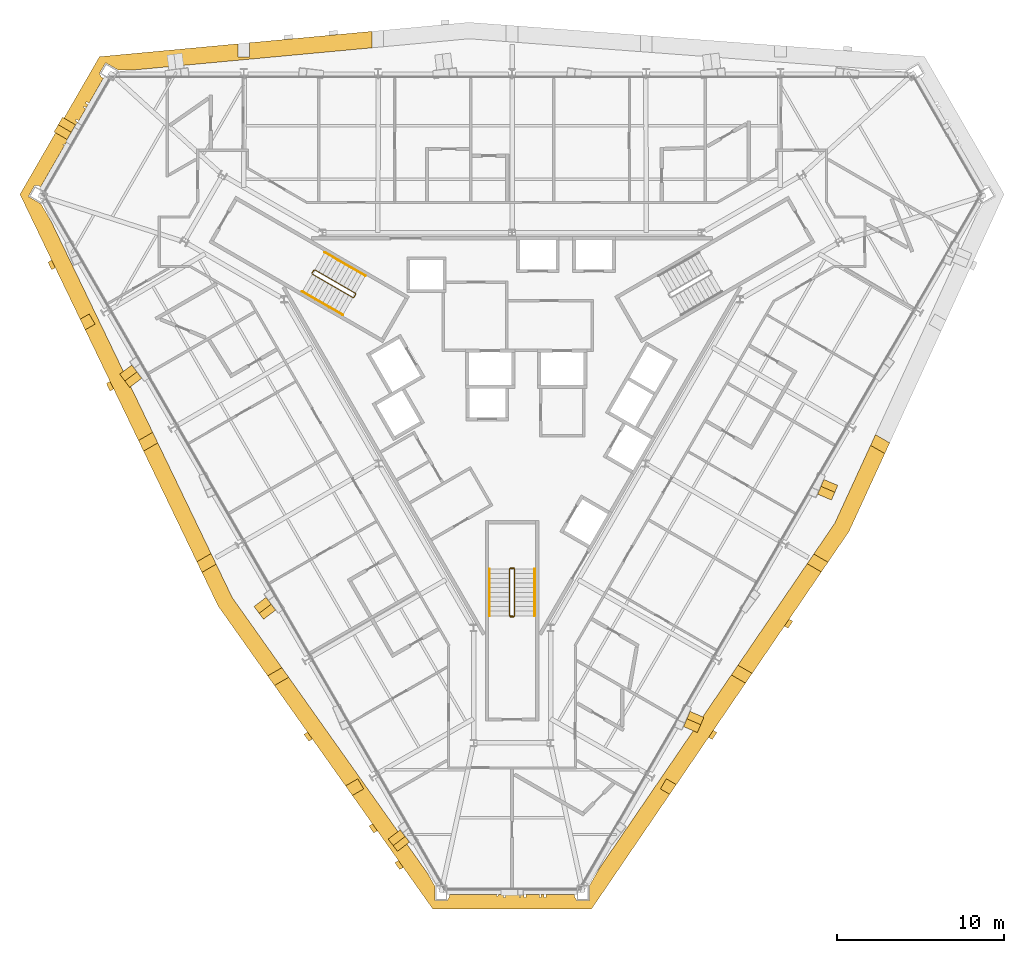
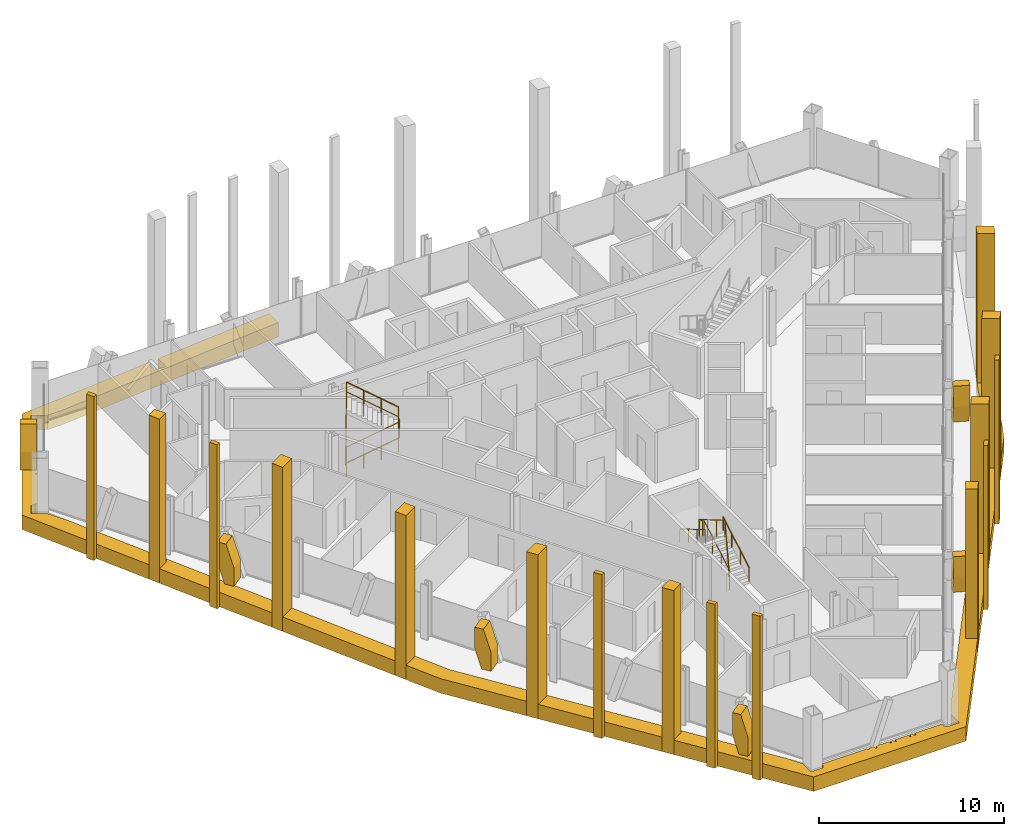
# One storey, part 15 of 16: 28 coverings, 6 railings.
"""IFC4 building model written with IfcOpenShell, lengths in metres."""

import ifcopenshell
import ifcopenshell.guid

model = None  # the IFC model being written
_history = None  # IfcOwnerHistory: only IFC2X3 demands one
_inside = {}  # id of a spatial element -> (the spatial element, [elements in it])
_under = {}  # id of a project, library or spatial element -> (it, [spatial elements below it])
_declared = {}  # id of a project -> (the project, [libraries it declares])
_typed = {}  # id of a type object -> (the type object, [elements of that type])
_made_of = {}  # id of a material, layer set ... -> (it, [elements and type objects made of it])


def new_model(schema):
    """Start an empty IFC model of exactly this schema.

    Asked for "IFC4X3", IfcOpenShell would pick the latest addendum, in which some entities
    have other attributes; the version numbers below select the first issue.
    IFC2X3 requires an IfcOwnerHistory on every rooted entity: one is made here for all.
    """
    global model, _history
    if schema == "IFC4X3":
        model = ifcopenshell.file(schema_version=(4, 3, 0, 0))
    else:
        model = ifcopenshell.file(schema=schema)
    _inside.clear()
    _under.clear()
    _declared.clear()
    _typed.clear()
    _made_of.clear()
    _history = None
    if model.schema == "IFC2X3":
        org = make("IfcOrganization", Name="unknown")
        user = make(
            "IfcPersonAndOrganization",
            ThePerson=make("IfcPerson", FamilyName="unknown"),
            TheOrganization=org,
        )
        app = make(
            "IfcApplication",
            ApplicationDeveloper=org,
            Version="unknown",
            ApplicationFullName="unknown",
            ApplicationIdentifier="unknown",
        )
        _history = make(
            "IfcOwnerHistory",
            OwningUser=user,
            OwningApplication=app,
            ChangeAction="ADDED",
            CreationDate=0,
        )
    return model


def make(cls, **values):
    """One entity of the class cls with the attributes given. An attribute that is None is left unset."""
    return model.create_entity(
        cls, **{name: value for name, value in values.items() if value is not None}
    )


def rooted(cls, **values):
    """An entity with a GlobalId (a new one), such as an element, a storey or a relation."""
    return make(cls, GlobalId=ifcopenshell.guid.new(), OwnerHistory=_history, **values)


def si_unit(unit_type, name, prefix=None):
    """IfcSIUnit, for example si_unit("LENGTHUNIT", "METRE", prefix="MILLI")."""
    return make("IfcSIUnit", UnitType=unit_type, Prefix=prefix, Name=name)


def assignment(units):
    """IfcUnitAssignment: the units of a project."""
    return None if units is None else make("IfcUnitAssignment", Units=units)


def point(xyz):
    """IfcCartesianPoint."""
    return None if xyz is None else make("IfcCartesianPoint", Coordinates=xyz)


def direction(xyz):
    """IfcDirection."""
    return None if xyz is None else make("IfcDirection", DirectionRatios=xyz)


def frame(location, z_axis=None, x_axis=None):
    """IfcAxis2Placement3D, a coordinate frame: its origin and axes. An axis left out is left unset."""
    return make(
        "IfcAxis2Placement3D",
        Location=point(location),
        Axis=direction(z_axis),
        RefDirection=direction(x_axis),
    )


def frame_2d(location, x_axis=None):
    """IfcAxis2Placement2D, a coordinate frame in the plane: its origin and x axis."""
    return make(
        "IfcAxis2Placement2D", Location=point(location), RefDirection=direction(x_axis)
    )


def origin():
    """The frame at (0, 0, 0) with its axes left unset."""
    return frame((0.0, 0.0, 0.0))


def origin_2d():
    """The frame at (0, 0) in the plane with its x axis left unset."""
    return frame_2d((0.0, 0.0))


def place(relative_to, where):
    """IfcLocalPlacement: puts the frame where relative to a parent placement (None: the world)."""
    return make(
        "IfcLocalPlacement", PlacementRelTo=relative_to, RelativePlacement=where
    )


def context(
    kind, dimensions, precision=None, world=None, true_north=None, identifier=None
):
    """IfcGeometricRepresentationContext, for example the 3D "Model" context."""
    return make(
        "IfcGeometricRepresentationContext",
        ContextIdentifier=identifier,
        ContextType=kind,
        CoordinateSpaceDimension=dimensions,
        Precision=precision,
        WorldCoordinateSystem=world,
        TrueNorth=true_north,
    )


def subcontext(parent, identifier, kind, view, scale=None):
    """IfcGeometricRepresentationSubContext, for example "Body" below "Model"."""
    return make(
        "IfcGeometricRepresentationSubContext",
        ContextIdentifier=identifier,
        ContextType=kind,
        ParentContext=parent,
        TargetScale=scale,
        TargetView=view,
    )


def project(units=None, contexts=None):
    """IfcProject with its units and contexts."""
    return rooted(
        "IfcProject",
        Name="project",
        RepresentationContexts=contexts,
        UnitsInContext=assignment(units),
    )


def spatial(cls, under=None, at=None, **own):
    """A site, building, storey or space (cls), placed at a placement, below another one or the project."""
    s = rooted(cls, ObjectPlacement=at, **own)
    if under is not None:
        _under.setdefault(under.id(), (under, []))[1].append(s)
    return s


def polyline(points):
    """IfcPolyline through the points."""
    return make("IfcPolyline", Points=[point(p) for p in points])


def profile(cls, at=None, kind="AREA", **sizes):
    """A parametric profile (cls). Its sizes go by their IFC names, for example OverallWidth=200.0."""
    return make(cls, ProfileType=kind, Position=at, **sizes)


def circle(**sizes):
    """IfcCircleProfileDef."""
    return profile("IfcCircleProfileDef", **sizes)


def outline(outer, holes=None, kind="AREA"):
    """IfcArbitraryClosedProfileDef: a profile drawn as a closed curve; with holes, ...WithVoids."""
    if holes is None:
        return make("IfcArbitraryClosedProfileDef", ProfileType=kind, OuterCurve=outer)
    return make(
        "IfcArbitraryProfileDefWithVoids",
        ProfileType=kind,
        OuterCurve=outer,
        InnerCurves=holes,
    )


def extrude(swept, where, along, depth):
    """IfcExtrudedAreaSolid: the profile swept, set in the frame where, extruded along a direction by depth."""
    return make(
        "IfcExtrudedAreaSolid",
        SweptArea=swept,
        Position=where,
        ExtrudedDirection=direction(along),
        Depth=depth,
    )


def shape(context_of_items, identifier, shape_type, items):
    """IfcShapeRepresentation: the items that make up one representation, for example the "Body"."""
    return make(
        "IfcShapeRepresentation",
        ContextOfItems=context_of_items,
        RepresentationIdentifier=identifier,
        RepresentationType=shape_type,
        Items=items,
    )


def material(Name=None, Category=None):
    """IfcMaterial."""
    return make("IfcMaterial", Name=Name, Category=Category)


def layer(
    of_material, thickness, ventilated=None, Name=None, Category=None, Priority=None
):
    """IfcMaterialLayer: one layer of a wall or slab, of a material (None: an air gap)."""
    return make(
        "IfcMaterialLayer",
        Material=of_material,
        LayerThickness=thickness,
        IsVentilated=ventilated,
        Name=Name,
        Category=Category,
        Priority=Priority,
    )


def layer_set(layers, Name=None):
    """IfcMaterialLayerSet."""
    return make("IfcMaterialLayerSet", MaterialLayers=layers, LayerSetName=Name)


def made_of(thing, what):
    """Note that an element or type object is made of a material, layer set ...; save() writes the relation."""
    if what is not None:
        _made_of.setdefault(what.id(), (what, []))[1].append(thing)
    return thing


def type_object(cls, material=None, **own):
    """A type object (cls), such as IfcWallType, which elements share."""
    return made_of(rooted(cls, **own), material)


def element(
    cls,
    number,
    at=None,
    inside=None,
    cuts=None,
    type_object=None,
    material=None,
    context=None,
    identifier="Body",
    shape_type=None,
    held_by="IfcProductDefinitionShape",
    body=None,
    shapes=None,
    **own,
):
    """One element of the class cls, such as IfcWall. Its Tag is "e" and its number.

    at: its placement. inside: the storey or other place that contains it. cuts: it is an
    opening in that element (IfcRelVoidsElement). A single representation is given by context,
    identifier, shape_type and body (its items); several are given by shapes. held_by: the class
    of the entity that holds the representations. save() writes the other relations.
    """
    e = rooted(cls, Tag="e%d" % number, ObjectPlacement=at, **own)
    if body is not None:
        shapes = [shape(context, identifier, shape_type, body)]
    if shapes is not None:
        e.Representation = make(held_by, Representations=shapes)
    if inside is not None:
        _inside.setdefault(inside.id(), (inside, []))[1].append(e)
    if cuts is not None:
        rooted(
            "IfcRelVoidsElement", RelatingBuildingElement=cuts, RelatedOpeningElement=e
        )
    if type_object is not None:
        _typed.setdefault(type_object.id(), (type_object, []))[1].append(e)
    return made_of(e, material)


def aggregate(whole, parts):
    """IfcRelAggregates: a whole, such as a stair, and the parts it consists of."""
    return rooted("IfcRelAggregates", RelatingObject=whole, RelatedObjects=parts)


def save(model, path):
    """Write the relations noted so far, then the file.

    IfcRelAggregates (storeys below a building ...), IfcRelContainedInSpatialStructure (elements
    in a storey), IfcRelDefinesByType, IfcRelAssociatesMaterial and IfcRelDeclares: one each for
    every whole, place, type object, material and project.
    """
    for whole, parts in _under.values():
        aggregate(whole, parts)
    for where, things in _inside.values():
        rooted(
            "IfcRelContainedInSpatialStructure",
            RelatedElements=things,
            RelatingStructure=where,
        )
    for kind, things in _typed.values():
        rooted("IfcRelDefinesByType", RelatedObjects=things, RelatingType=kind)
    for what, things in _made_of.values():
        rooted("IfcRelAssociatesMaterial", RelatedObjects=things, RelatingMaterial=what)
    for by, libraries in _declared.values():
        rooted("IfcRelDeclares", RelatingContext=by, RelatedDefinitions=libraries)
    model.write(path)


model = new_model("IFC4")

# Units and contexts
model_context = context("Model", 3, precision=1e-05, world=origin(), true_north=direction((0.0, 1.0)))
body_context = subcontext(model_context, "Body", "Model", "MODEL_VIEW")
ifc_project = project(units=[si_unit("LENGTHUNIT", "METRE"), si_unit("AREAUNIT", "SQUARE_METRE"), si_unit("VOLUMEUNIT", "CUBIC_METRE"), si_unit("PLANEANGLEUNIT", "RADIAN"), si_unit("MASSUNIT", "GRAM", prefix="KILO")], contexts=[model_context])

# Site, building, storey
site_placement = place(None, origin())
site = spatial("IfcSite", under=ifc_project, at=site_placement, CompositionType="ELEMENT")
building_placement = place(site_placement, origin())
building = spatial("IfcBuilding", under=site, at=building_placement, Name="Verrane Prism Tower", CompositionType="ELEMENT")
storey_placement = place(building_placement, frame((0.0, 0.0, 103.60009765625)))
storey = spatial("IfcBuildingStorey", under=building, at=storey_placement, Name="L24", CompositionType="ELEMENT", Elevation=103.60009765625)

# Railings
ifc_material_1 = material(Name="Steel A36 rail and posts, no infill", Category="steel")
railing_type_1 = type_object("IfcRailingType", Name="Stair guard 1100 steel rail and posts", PredefinedType="GUARDRAIL", material=ifc_material_1)
railing_1_placement = place(storey_placement, frame((-11.939453125, 6.72021484375, 0.16357421875)))
element("IfcRailing", 1, at=railing_1_placement, inside=storey, type_object=railing_type_1, Name="Stair 2 guard", PredefinedType="GUARDRAIL", context=body_context, shape_type="SweptSolid", body=[
    extrude(circle(Radius=0.02392578125, at=origin_2d()), frame((0.0, 0.0, 1.076171875), z_axis=(0.747693913401, -0.431738279637, 0.504535300807), x_axis=(0.500049511043, 0.865996816683, 0.0)), (0.0, 0.0, 1.0), 3.2431640625),
    extrude(circle(Radius=0.02392578125, at=origin_2d()), frame((2.4248046875, -1.400146484375, 2.71240234375), z_axis=(0.965948051503, 0.258736085224, 0.0), x_axis=(-0.258736085224, 0.965948051503, 0.0)), (0.0, 0.0, 1.0), 0.07080078125),
    extrude(circle(Radius=0.02392578125, at=origin_2d()), frame((2.4931640625, -1.3818359375, 2.71240234375), z_axis=(0.499158860599, 0.866510491504, 0.0), x_axis=(-0.866510491504, 0.499158860599, 0.0)), (0.0, 0.0, 1.0), 0.199951171875),
    extrude(circle(Radius=0.02392578125, at=origin_2d()), frame((2.593017578125, -1.20849609375, 2.71240234375), z_axis=(-0.10266202204, 0.381902721988, 0.918482890515), x_axis=(-0.965715946433, -0.259601060869, 0.0)), (0.0, 0.0, 1.0), 0.178466796875),
    extrude(circle(Radius=0.02392578125, at=origin_2d()), frame((2.57470703125, -1.140380859375, 2.8759765625), z_axis=(-0.747693913401, 0.431738279637, 0.504535300807), x_axis=(-0.500049511043, -0.865996816683, 0.0)), (0.0, 0.0, 1.0), 3.2431640625),
    extrude(circle(Radius=0.02392578125, at=origin_2d()), frame((0.14990234375, 0.259765625, 4.51220703125), z_axis=(-0.046610908435, -0.053105316576, -0.997500500534), x_axis=(0.751567565678, -0.659656118156, 0.0)), (0.0, 0.0, 1.0), 3.60888671875),
    extrude(circle(Radius=0.02392578125, at=origin_2d()), frame((-0.018310546875, 0.068115234375, 0.91259765625), z_axis=(0.499158860599, 0.866510491504, 0.0), x_axis=(-0.866510491504, 0.499158860599, 0.0)), (0.0, 0.0, 1.0), 0.199951171875),
    extrude(circle(Radius=0.02099609375, at=origin_2d()), origin(), (0.0, 0.0, 1.0), 1.052001953125),
    extrude(circle(Radius=0.02099609375, at=origin_2d()), frame((0.808349609375, -0.466796875, 0.54541015625)), (0.0, 0.0, 1.0), 1.052001953125),
    extrude(circle(Radius=0.02099609375, at=origin_2d()), frame((1.616455078125, -0.933349609375, 1.0908203125)), (0.0, 0.0, 1.0), 1.052001953125),
    extrude(circle(Radius=0.02099609375, at=origin_2d()), frame((2.4248046875, -1.400146484375, 1.63623046875)), (0.0, 0.0, 1.0), 1.052001953125),
    extrude(circle(Radius=0.02099609375, at=origin_2d()), frame((2.4931640625, -1.3818359375, 1.63623046875)), (0.0, 0.0, 1.0), 1.052001953125),
    extrude(circle(Radius=0.02099609375, at=origin_2d()), frame((2.593017578125, -1.20849609375, 1.63623046875)), (0.0, 0.0, 1.0), 1.052001953125),
    extrude(circle(Radius=0.02099609375, at=origin_2d()), frame((2.57470703125, -1.140380859375, 1.800048828125)), (0.0, 0.0, 1.0), 1.052001953125),
    extrude(circle(Radius=0.02099609375, at=origin_2d()), frame((1.766357421875, -0.673583984375, 2.345458984375)), (0.0, 0.0, 1.0), 1.052001953125),
    extrude(circle(Radius=0.02099609375, at=origin_2d()), frame((0.958251953125, -0.20703125, 2.890869140625)), (0.0, 0.0, 1.0), 1.052001953125),
    extrude(circle(Radius=0.02099609375, at=origin_2d()), frame((0.14990234375, 0.259765625, 3.436279296875)), (0.0, 0.0, 1.0), 1.052001953125),
    extrude(circle(Radius=0.02099609375, at=origin_2d()), frame((0.10791015625, 0.2119140625, 2.536376953125)), (0.0, 0.0, 1.0), 1.052001953125),
    extrude(circle(Radius=0.02099609375, at=origin_2d()), frame((0.06591796875, 0.1640625, 1.63623046875)), (0.0, 0.0, 1.0), 1.052001953125),
    extrude(circle(Radius=0.02099609375, at=origin_2d()), frame((0.023681640625, 0.115966796875, 0.736328125)), (0.0, 0.0, 1.0), 1.052001953125),
    extrude(circle(Radius=0.02099609375, at=origin_2d()), frame((-0.018310546875, 0.068115234375, -0.16357421875)), (0.0, 0.0, 1.0), 1.052001953125),
    extrude(circle(Radius=0.02099609375, at=origin_2d()), frame((0.08154296875, 0.241455078125, -0.16357421875)), (0.0, 0.0, 1.0), 1.052001953125),
])
railing_2_placement = place(storey_placement, frame((0.14990234375, -13.699951171875, 0.16357421875)))
element("IfcRailing", 2, at=railing_2_placement, inside=storey, type_object=railing_type_1, Name="Stair 3 guard", PredefinedType="GUARDRAIL", context=body_context, shape_type="SweptSolid", body=[
    extrude(circle(Radius=0.02392578125, at=origin_2d()), frame((0.0, 0.0, 1.076171875), z_axis=(0.0, 0.863393664356, 0.504530851732), x_axis=(-1.0, 0.0, 0.0)), (0.0, 0.0, 1.0), 3.2431640625),
    extrude(circle(Radius=0.02392578125, at=origin_2d()), frame((0.0, 2.800048828125, 2.71240234375), z_axis=(-0.707106781187, 0.707106781187, 0.0), x_axis=(-0.707106781187, -0.707106781187, 0.0)), (0.0, 0.0, 1.0), 0.0703125),
    extrude(circle(Radius=0.02392578125, at=origin_2d()), frame((-0.0498046875, 2.849853515625, 2.71240234375), z_axis=(-1.0, 0.0, 0.0), x_axis=(0.0, -1.0, 0.0)), (0.0, 0.0, 1.0), 0.2001953125),
    extrude(circle(Radius=0.02392578125, at=origin_2d()), frame((-0.25, 2.849853515625, 2.71240234375), z_axis=(-0.279301935624, -0.279301935624, 0.918684307863), x_axis=(0.707106781187, -0.707106781187, 0.0)), (0.0, 0.0, 1.0), 0.17822265625),
    extrude(circle(Radius=0.02392578125, at=origin_2d()), frame((-0.2998046875, 2.800048828125, 2.8759765625), z_axis=(0.0, -0.863393664356, 0.504530851732), x_axis=(1.0, 0.0, 0.0)), (0.0, 0.0, 1.0), 3.2431640625),
    extrude(circle(Radius=0.02392578125, at=origin_2d()), frame((-0.2998046875, 0.0, 4.51220703125), z_axis=(0.069273741535, -0.013868278335, -0.997501288014), x_axis=(0.196300278283, 0.98054382908, 0.0)), (0.0, 0.0, 1.0), 3.60888671875),
    extrude(circle(Radius=0.02392578125, at=origin_2d()), frame((-0.0498046875, -0.050048828125, 0.91259765625), z_axis=(-1.0, 0.0, 0.0), x_axis=(0.0, -1.0, 0.0)), (0.0, 0.0, 1.0), 0.2001953125),
    extrude(circle(Radius=0.02099609375, at=origin_2d()), origin(), (0.0, 0.0, 1.0), 1.052001953125),
    extrude(circle(Radius=0.02099609375, at=origin_2d()), frame((0.0, 0.933349609375, 0.54541015625)), (0.0, 0.0, 1.0), 1.052001953125),
    extrude(circle(Radius=0.02099609375, at=origin_2d()), frame((0.0, 1.86669921875, 1.0908203125)), (0.0, 0.0, 1.0), 1.052001953125),
    extrude(circle(Radius=0.02099609375, at=origin_2d()), frame((0.0, 2.800048828125, 1.63623046875)), (0.0, 0.0, 1.0), 1.052001953125),
    extrude(circle(Radius=0.02099609375, at=origin_2d()), frame((-0.0498046875, 2.849853515625, 1.63623046875)), (0.0, 0.0, 1.0), 1.052001953125),
    extrude(circle(Radius=0.02099609375, at=origin_2d()), frame((-0.25, 2.849853515625, 1.63623046875)), (0.0, 0.0, 1.0), 1.052001953125),
    extrude(circle(Radius=0.02099609375, at=origin_2d()), frame((-0.2998046875, 2.800048828125, 1.800048828125)), (0.0, 0.0, 1.0), 1.052001953125),
    extrude(circle(Radius=0.02099609375, at=origin_2d()), frame((-0.2998046875, 1.86669921875, 2.345458984375)), (0.0, 0.0, 1.0), 1.052001953125),
    extrude(circle(Radius=0.02099609375, at=origin_2d()), frame((-0.2998046875, 0.933349609375, 2.890869140625)), (0.0, 0.0, 1.0), 1.052001953125),
    extrude(circle(Radius=0.02099609375, at=origin_2d()), frame((-0.2998046875, 0.0, 3.436279296875)), (0.0, 0.0, 1.0), 1.052001953125),
    extrude(circle(Radius=0.02099609375, at=origin_2d()), frame((-0.2373046875, -0.012451171875, 2.536376953125)), (0.0, 0.0, 1.0), 1.052001953125),
    extrude(circle(Radius=0.02099609375, at=origin_2d()), frame((-0.1748046875, -0.02490234375, 1.63623046875)), (0.0, 0.0, 1.0), 1.052001953125),
    extrude(circle(Radius=0.02099609375, at=origin_2d()), frame((-0.1123046875, -0.03759765625, 0.736328125)), (0.0, 0.0, 1.0), 1.052001953125),
    extrude(circle(Radius=0.02099609375, at=origin_2d()), frame((-0.0498046875, -0.050048828125, -0.16357421875)), (0.0, 0.0, 1.0), 1.052001953125),
    extrude(circle(Radius=0.02099609375, at=origin_2d()), frame((-0.25, -0.050048828125, -0.16357421875)), (0.0, 0.0, 1.0), 1.052001953125),
])
ifc_material_2 = material(Name="Steel A36 tube", Category="steel")
railing_type_2 = type_object("IfcRailingType", Name="Stair handrail 900 steel tube", PredefinedType="HANDRAIL", material=ifc_material_2)
railing_3_placement = place(storey_placement, frame((-12.53955078125, 5.680908203125, 0.16357421875)))
element("IfcRailing", 3, at=railing_3_placement, inside=storey, type_object=railing_type_2, Name="Stair 2 handrail", PredefinedType="HANDRAIL", context=body_context, shape_type="SweptSolid", body=[
    extrude(circle(Radius=0.02392578125, at=origin_2d()), frame((0.0, 0.0, 0.8759765625), z_axis=(0.747693913401, -0.431738279637, 0.504535300807), x_axis=(0.500049511043, 0.865996816683, 0.0)), (0.0, 0.0, 1.0), 3.2431640625),
    extrude(circle(Radius=0.02099609375, at=origin_2d()), origin(), (0.0, 0.0, 1.0), 0.851806640625),
    extrude(circle(Radius=0.02099609375, at=origin_2d()), frame((0.808349609375, -0.466796875, 0.54541015625)), (0.0, 0.0, 1.0), 0.851806640625),
    extrude(circle(Radius=0.02099609375, at=origin_2d()), frame((1.616455078125, -0.933349609375, 1.0908203125)), (0.0, 0.0, 1.0), 0.851806640625),
    extrude(circle(Radius=0.02099609375, at=origin_2d()), frame((2.4248046875, -1.400146484375, 1.63623046875)), (0.0, 0.0, 1.0), 0.851806640625),
])
railing_4_placement = place(storey_placement, frame((-8.7646484375, 6.619140625, 1.963623046875)))
element("IfcRailing", 4, at=railing_4_placement, inside=storey, type_object=railing_type_2, Name="Stair 2 handrail", PredefinedType="HANDRAIL", context=body_context, shape_type="SweptSolid", body=[
    extrude(circle(Radius=0.02392578125, at=origin_2d()), frame((0.0, 0.0, 0.8759765625), z_axis=(-0.74771821388, 0.431677027627, 0.504551698492), x_axis=(-0.49998411664, -0.866034573852, 0.0)), (0.0, 0.0, 1.0), 3.242919921875),
    extrude(circle(Radius=0.02099609375, at=origin_2d()), origin(), (0.0, 0.0, 1.0), 0.851806640625),
    extrude(circle(Radius=0.02099609375, at=origin_2d()), frame((-0.808349609375, 0.466552734375, 0.54541015625)), (0.0, 0.0, 1.0), 0.851806640625),
    extrude(circle(Radius=0.02099609375, at=origin_2d()), frame((-1.616455078125, 0.933349609375, 1.0908203125)), (0.0, 0.0, 1.0), 0.851806640625),
    extrude(circle(Radius=0.02099609375, at=origin_2d()), frame((-2.4248046875, 1.39990234375, 1.63623046875)), (0.0, 0.0, 1.0), 0.851806640625),
])
railing_5_placement = place(storey_placement, frame((1.35009765625, -13.699951171875, 0.16357421875)))
element("IfcRailing", 5, at=railing_5_placement, inside=storey, type_object=railing_type_2, Name="Stair 3 handrail", PredefinedType="HANDRAIL", context=body_context, shape_type="SweptSolid", body=[
    extrude(circle(Radius=0.02392578125, at=origin_2d()), frame((0.0, 0.0, 0.8759765625), z_axis=(0.0, 0.863393664356, 0.504530851732), x_axis=(-1.0, 0.0, 0.0)), (0.0, 0.0, 1.0), 3.2431640625),
    extrude(circle(Radius=0.02099609375, at=origin_2d()), origin(), (0.0, 0.0, 1.0), 0.851806640625),
    extrude(circle(Radius=0.02099609375, at=origin_2d()), frame((0.0, 0.933349609375, 0.54541015625)), (0.0, 0.0, 1.0), 0.851806640625),
    extrude(circle(Radius=0.02099609375, at=origin_2d()), frame((0.0, 1.86669921875, 1.0908203125)), (0.0, 0.0, 1.0), 0.851806640625),
    extrude(circle(Radius=0.02099609375, at=origin_2d()), frame((0.0, 2.800048828125, 1.63623046875)), (0.0, 0.0, 1.0), 0.851806640625),
])
railing_6_placement = place(storey_placement, frame((-1.35009765625, -10.89990234375, 1.963623046875)))
element("IfcRailing", 6, at=railing_6_placement, inside=storey, type_object=railing_type_2, Name="Stair 3 handrail", PredefinedType="HANDRAIL", context=body_context, shape_type="SweptSolid", body=[
    extrude(circle(Radius=0.02392578125, at=origin_2d()), frame((0.0, 0.0, 0.8759765625), z_axis=(0.0, -0.863393664356, 0.504530851732), x_axis=(1.0, 0.0, 0.0)), (0.0, 0.0, 1.0), 3.2431640625),
    extrude(circle(Radius=0.02099609375, at=origin_2d()), origin(), (0.0, 0.0, 1.0), 0.851806640625),
    extrude(circle(Radius=0.02099609375, at=origin_2d()), frame((0.0, -0.933349609375, 0.54541015625)), (0.0, 0.0, 1.0), 0.851806640625),
    extrude(circle(Radius=0.02099609375, at=origin_2d()), frame((0.0, -1.86669921875, 1.0908203125)), (0.0, 0.0, 1.0), 0.851806640625),
    extrude(circle(Radius=0.02099609375, at=origin_2d()), frame((0.0, -2.800048828125, 1.63623046875)), (0.0, 0.0, 1.0), 0.851806640625),
])

# Coverings
ifc_material_3 = material(Name="Warm limestone cladding", Category="masonry")
ifc_layer_1 = layer(ifc_material_3, 0.89990234375)
ifc_layer_set_1 = layer_set([ifc_layer_1], Name="Stone brace fin 900")
covering_type_1 = type_object("IfcCoveringType", Name="Stone brace fin 900", PredefinedType="CLADDING", material=ifc_layer_set_1)
covering_1_placement = place(storey_placement, frame((-22.49462890625, 0.22119140625, 0.0), z_axis=(0.0, 0.0, 1.0), x_axis=(-0.60114067124, 0.799143224573, 0.0)))
element("IfcCovering", 7, at=covering_1_placement, inside=storey, type_object=covering_type_1, Name="Stone brace fin SW2 L24", PredefinedType="CLADDING", context=body_context, shape_type="SweptSolid", body=[
    extrude(outline(polyline([(0.992431640625, 2.64990234375), (0.48046875, 2.64990234375), (0.0, 1.193603515625), (0.0, 0.0), (0.553955078125, 0.0), (0.992431640625, 1.3291015625), (0.992431640625, 2.64990234375)])), frame((0.0, 0.449951171875, 0.0), z_axis=(0.0, -1.0, 0.0), x_axis=(1.0, 0.0, 0.0)), (0.0, 0.0, 1.0), 0.89990234375),
])
covering_2_placement = place(storey_placement, frame((-14.490966796875, -13.63525390625, 0.0), z_axis=(0.0, 0.0, 1.0), x_axis=(-0.602901839602, 0.79781537451, 0.0)))
element("IfcCovering", 8, at=covering_2_placement, inside=storey, type_object=covering_type_1, Name="Stone brace fin SW4 L24", PredefinedType="CLADDING", context=body_context, shape_type="SweptSolid", body=[
    extrude(outline(polyline([(0.95458984375, 2.64990234375), (0.44580078125, 2.64990234375), (0.0, 1.2451171875), (0.0, 0.0), (0.549072265625, 0.0), (0.95458984375, 1.277587890625), (0.95458984375, 2.64990234375)])), frame((0.0, 0.449951171875, 0.0), z_axis=(0.0, -1.0, 0.0), x_axis=(1.0, 0.0, 0.0)), (0.0, 0.0, 1.0), 0.89990234375),
])
covering_3_placement = place(storey_placement, frame((-6.488525390625, -27.501953125, 0.0), z_axis=(0.0, 0.0, 1.0), x_axis=(-0.60776626107, 0.794115968801, 0.0)))
element("IfcCovering", 9, at=covering_3_placement, inside=storey, type_object=covering_type_1, Name="Stone brace fin SW6 L24", PredefinedType="CLADDING", context=body_context, shape_type="SweptSolid", body=[
    extrude(outline(polyline([(0.916748046875, 2.64990234375), (0.42431640625, 2.64990234375), (0.0, 1.25732421875), (0.0, 0.0), (0.531005859375, 0.0), (0.916748046875, 1.265380859375), (0.916748046875, 2.64990234375)])), frame((0.0, 0.449951171875, 0.0), z_axis=(0.0, -1.0, 0.0), x_axis=(1.0, 0.0, 0.0)), (0.0, 0.0, 1.0), 0.89990234375),
])
covering_4_placement = place(storey_placement, frame((11.053955078125, -19.59228515625, 0.0), z_axis=(0.0, 0.0, 1.0), x_axis=(-0.392938510983, -0.919564748447, 0.0)))
element("IfcCovering", 10, at=covering_4_placement, inside=storey, type_object=covering_type_1, Name="Stone brace fin SE2 L24", PredefinedType="CLADDING", context=body_context, shape_type="SweptSolid", body=[
    extrude(outline(polyline([(0.991455078125, 2.64990234375), (0.4794921875, 2.64990234375), (0.0, 1.19482421875), (0.0, 0.0), (0.5537109375, 0.0), (0.991455078125, 1.327880859375), (0.991455078125, 2.64990234375)])), frame((0.0, 0.449951171875, 0.0), z_axis=(0.0, -1.0, 0.0), x_axis=(1.0, 0.0, 0.0)), (0.0, 0.0, 1.0), 0.89990234375),
])
covering_5_placement = place(storey_placement, frame((19.054931640625, -5.730224609375, 0.0), z_axis=(0.0, 0.0, 1.0), x_axis=(-0.389280942249, -0.921119073737, 0.0)))
element("IfcCovering", 11, at=covering_5_placement, inside=storey, type_object=covering_type_1, Name="Stone brace fin SE4 L24", PredefinedType="CLADDING", context=body_context, shape_type="SweptSolid", body=[
    extrude(outline(polyline([(0.9541015625, 2.64990234375), (0.4453125, 2.64990234375), (0.0, 1.245849609375), (0.0, 0.0), (0.549072265625, 0.0), (0.9541015625, 1.27685546875), (0.9541015625, 2.64990234375)])), frame((0.0, 0.449951171875, 0.0), z_axis=(0.0, -1.0, 0.0), x_axis=(1.0, 0.0, 0.0)), (0.0, 0.0, 1.0), 0.89990234375),
])
covering_6_placement = place(storey_placement, frame((-26.986328125, 14.99658203125, 0.0), z_axis=(0.0, 0.0, 1.0), x_axis=(0.500064165663, 0.865988354552, 0.0)))
element("IfcCovering", 12, at=covering_6_placement, inside=storey, type_object=covering_type_1, Name="Stone brace fin NW1 L24", PredefinedType="CLADDING", context=body_context, shape_type="SweptSolid", body=[
    extrude(outline(polyline([(1.01025390625, 2.64990234375), (0.4990234375, 2.64990234375), (0.0, 1.166259765625), (0.0, 0.0), (0.55712890625, 0.0), (1.01025390625, 1.346435546875), (1.01025390625, 2.64990234375)])), frame((0.0, 0.449951171875, 0.0), z_axis=(0.0, -1.0, 0.0), x_axis=(1.0, 0.0, 0.0)), (0.0, 0.0, 1.0), 0.89990234375),
])
ifc_material_4 = material(Name="Warm limestone cladding", Category="masonry")
covering_type_2 = type_object("IfcCoveringType", Name="Stone mullion pier 500", PredefinedType="CLADDING", material=ifc_material_4)
covering_7_placement = place(storey_placement, frame((0.0, 0.0, -0.9501953125)))
element("IfcCovering", 13, at=covering_7_placement, inside=storey, type_object=covering_type_2, Name="Stone pier SM-SW0.1 L24-L26", PredefinedType="CLADDING", context=body_context, shape_type="SweptSolid", body=[
    extrude(outline(polyline([(-27.30224609375, 7.107177734375), (-27.51953125, 7.558837890625), (-27.73681640625, 7.43359375), (-27.519287109375, 6.981689453125), (-27.30224609375, 7.107177734375)])), origin(), (0.0, 0.0, 1.0), 10.800048828125),
])
covering_8_placement = place(storey_placement, frame((0.0, 0.0, -0.9501953125)))
element("IfcCovering", 14, at=covering_8_placement, inside=storey, type_object=covering_type_2, Name="Stone pier SM-SW1.1 L24-L26", PredefinedType="CLADDING", context=body_context, shape_type="SweptSolid", body=[
    extrude(outline(polyline([(-23.812744140625, -0.1416015625), (-24.030029296875, 0.31005859375), (-24.247314453125, 0.184814453125), (-24.02978515625, -0.26708984375), (-23.812744140625, -0.1416015625)])), origin(), (0.0, 0.0, 1.0), 10.800048828125),
])
covering_9_placement = place(storey_placement, frame((0.0, 0.0, -0.9501953125)))
element("IfcCovering", 15, at=covering_9_placement, inside=storey, type_object=covering_type_2, Name="Stone pier SM-SW4.1 L24-L26", PredefinedType="CLADDING", context=body_context, shape_type="SweptSolid", body=[
    extrude(outline(polyline([(-11.930908203125, -21.072021484375), (-12.22119140625, -20.662353515625), (-12.4384765625, -20.787841796875), (-12.148193359375, -21.19775390625), (-11.930908203125, -21.072021484375)])), origin(), (0.0, 0.0, 1.0), 10.800048828125),
])
covering_10_placement = place(storey_placement, frame((0.0, 0.0, -0.9501953125)))
element("IfcCovering", 16, at=covering_10_placement, inside=storey, type_object=covering_type_2, Name="Stone pier SM-SW5.1 L24-L26", PredefinedType="CLADDING", context=body_context, shape_type="SweptSolid", body=[
    extrude(outline(polyline([(-8.049560546875, -26.55078125), (-8.33984375, -26.14111328125), (-8.557373046875, -26.2666015625), (-8.26708984375, -26.676513671875), (-8.049560546875, -26.55078125)])), origin(), (0.0, 0.0, 1.0), 10.800048828125),
])
covering_11_placement = place(storey_placement, frame((0.0, 0.0, -0.9501953125)))
element("IfcCovering", 17, at=covering_11_placement, inside=storey, type_object=covering_type_2, Name="Stone pier SM-SW5.2 L24-L26", PredefinedType="CLADDING", context=body_context, shape_type="SweptSolid", body=[
    extrude(outline(polyline([(-6.4970703125, -28.7421875), (-6.787353515625, -28.33251953125), (-7.0048828125, -28.4580078125), (-6.714599609375, -28.867919921875), (-6.4970703125, -28.7421875)])), origin(), (0.0, 0.0, 1.0), 10.800048828125),
])
covering_12_placement = place(storey_placement, frame((0.0, 0.0, -0.9501953125)))
element("IfcCovering", 18, at=covering_12_placement, inside=storey, type_object=covering_type_2, Name="Stone pier SM-SE1.1 L24-L26", PredefinedType="CLADDING", context=body_context, shape_type="SweptSolid", body=[
    extrude(outline(polyline([(12.029052734375, -20.551513671875), (11.74658203125, -20.9658203125), (11.963623046875, -21.091064453125), (12.24609375, -20.677001953125), (12.029052734375, -20.551513671875)])), origin(), (0.0, 0.0, 1.0), 10.800048828125),
])
covering_13_placement = place(storey_placement, frame((0.0, 0.0, -0.9501953125)))
element("IfcCovering", 19, at=covering_13_placement, inside=storey, type_object=covering_type_2, Name="Stone pier SM-SE2.1 L24-L26", PredefinedType="CLADDING", context=body_context, shape_type="SweptSolid", body=[
    extrude(outline(polyline([(16.56201171875, -13.905029296875), (16.279541015625, -14.3193359375), (16.49658203125, -14.444580078125), (16.779052734375, -14.030517578125), (16.56201171875, -13.905029296875)])), origin(), (0.0, 0.0, 1.0), 10.800048828125),
])
ifc_material_5 = material(Name="Warm limestone cladding", Category="masonry")
covering_type_3 = type_object("IfcCoveringType", Name="Stone pier 700", PredefinedType="CLADDING", material=ifc_material_5)
covering_14_placement = place(storey_placement, frame((0.0, 0.0, -0.9501953125)))
element("IfcCovering", 20, at=covering_14_placement, inside=storey, type_object=covering_type_3, Name="Stone pier PC-SW1 L24-L26", PredefinedType="CLADDING", context=body_context, shape_type="SweptSolid", body=[
    extrude(outline(polyline([(-24.9248046875, 3.732421875), (-25.274658203125, 4.338623046875), (-25.818359375, 4.02490234375), (-25.513916015625, 3.392333984375), (-24.9248046875, 3.732421875)])), origin(), (0.0, 0.0, 1.0), 10.800048828125),
])
covering_15_placement = place(storey_placement, frame((0.0, 0.0, -0.9501953125)))
element("IfcCovering", 21, at=covering_15_placement, inside=storey, type_object=covering_type_3, Name="Stone pier PC-SW2 L24-L26", PredefinedType="CLADDING", context=body_context, shape_type="SweptSolid", body=[
    extrude(outline(polyline([(-22.0244140625, -3.8564453125), (-21.175048828125, -3.3662109375), (-21.4794921875, -2.733642578125), (-22.328857421875, -3.22412109375), (-22.0244140625, -3.8564453125)])), origin(), (0.0, 0.0, 1.0), 10.800048828125),
])
covering_16_placement = place(storey_placement, frame((0.0, 0.0, -0.9501953125)))
element("IfcCovering", 22, at=covering_16_placement, inside=storey, type_object=covering_type_3, Name="Stone pier PC-SW3 L24-L26", PredefinedType="CLADDING", context=body_context, shape_type="SweptSolid", body=[
    extrude(outline(polyline([(-18.534912109375, -11.105224609375), (-17.685546875, -10.614990234375), (-17.989990234375, -9.982421875), (-18.83935546875, -10.472900390625), (-18.534912109375, -11.105224609375)])), origin(), (0.0, 0.0, 1.0), 10.800048828125),
])
covering_17_placement = place(storey_placement, frame((0.0, 0.0, -0.9501953125)))
element("IfcCovering", 23, at=covering_17_placement, inside=storey, type_object=covering_type_3, Name="Stone pier PC-SW4 L24-L26", PredefinedType="CLADDING", context=body_context, shape_type="SweptSolid", body=[
    extrude(outline(polyline([(-14.201416015625, -17.866943359375), (-13.350830078125, -17.375732421875), (-13.757080078125, -16.802001953125), (-14.60791015625, -17.293212890625), (-14.201416015625, -17.866943359375)])), origin(), (0.0, 0.0, 1.0), 10.800048828125),
])
covering_18_placement = place(storey_placement, frame((0.0, 0.0, -0.9501953125)))
element("IfcCovering", 24, at=covering_18_placement, inside=storey, type_object=covering_type_3, Name="Stone pier PC-SW5 L24-L26", PredefinedType="CLADDING", context=body_context, shape_type="SweptSolid", body=[
    extrude(outline(polyline([(-8.869384765625, -24.0517578125), (-9.04443359375, -23.748779296875), (-9.219482421875, -23.445556640625), (-9.950439453125, -23.86767578125), (-9.5439453125, -24.44140625), (-8.869384765625, -24.0517578125)])), origin(), (0.0, 0.0, 1.0), 10.800048828125),
])
covering_19_placement = place(storey_placement, frame((0.0, 0.0, -0.9501953125)))
element("IfcCovering", 25, at=covering_19_placement, inside=storey, type_object=covering_type_3, Name="Stone pier PC-SE1 L24-L26", PredefinedType="CLADDING", context=body_context, shape_type="SweptSolid", body=[
    extrude(outline(polyline([(9.219482421875, -23.445556640625), (9.146240234375, -23.572509765625), (8.869384765625, -24.0517578125), (9.423583984375, -24.371826171875), (9.819091796875, -23.7919921875), (9.219482421875, -23.445556640625)])), origin(), (0.0, 0.0, 1.0), 10.800048828125),
])
covering_20_placement = place(storey_placement, frame((0.0, 0.0, -0.9501953125)))
element("IfcCovering", 26, at=covering_20_placement, inside=storey, type_object=covering_type_3, Name="Stone pier PC-SE2 L24-L26", PredefinedType="CLADDING", context=body_context, shape_type="SweptSolid", body=[
    extrude(outline(polyline([(14.35205078125, -17.1455078125), (13.502685546875, -16.655029296875), (13.107177734375, -17.235107421875), (13.95654296875, -17.725341796875), (14.35205078125, -17.1455078125)])), origin(), (0.0, 0.0, 1.0), 10.800048828125),
])
covering_21_placement = place(storey_placement, frame((0.0, 0.0, -0.9501953125)))
element("IfcCovering", 27, at=covering_21_placement, inside=storey, type_object=covering_type_3, Name="Stone pier PC-SE3 L24-L26", PredefinedType="CLADDING", context=body_context, shape_type="SweptSolid", body=[
    extrude(outline(polyline([(18.885009765625, -10.4990234375), (18.035400390625, -10.0087890625), (17.639892578125, -10.588623046875), (18.489501953125, -11.0791015625), (18.885009765625, -10.4990234375)])), origin(), (0.0, 0.0, 1.0), 10.800048828125),
])
covering_22_placement = place(storey_placement, frame((0.0, 0.0, -0.9501953125)))
element("IfcCovering", 28, at=covering_22_placement, inside=storey, type_object=covering_type_3, Name="Stone pier PC-SE4 L24-L26", PredefinedType="CLADDING", context=body_context, shape_type="SweptSolid", body=[
    extrude(outline(polyline([(22.573974609375, -3.365478515625), (21.72314453125, -2.874267578125), (21.4296875, -3.51318359375), (22.2802734375, -4.004150390625), (22.573974609375, -3.365478515625)])), origin(), (0.0, 0.0, 1.0), 10.800048828125),
])
ifc_material_6 = material(Name="Warm limestone cladding", Category="masonry")
ifc_layer_2 = layer(ifc_material_6, 0.449951171875)
ifc_layer_set_2 = layer_set([ifc_layer_2], Name="Stone spandrel band 450")
covering_type_4 = type_object("IfcCoveringType", Name="Stone spandrel band 450", PredefinedType="CLADDING", material=ifc_layer_set_2)
covering_23_placement = place(storey_placement, frame((0.0, 0.0, -0.9501953125)))
element("IfcCovering", 29, at=covering_23_placement, inside=storey, type_object=covering_type_4, Name="Stone spandrel band L24 part 1", PredefinedType="CLADDING", context=body_context, shape_type="SweptSolid", body=[
    extrude(outline(polyline([(4.755859375, -31.2158203125), (9.423583984375, -24.371826171875), (8.869384765625, -24.0517578125), (9.219482421875, -23.445556640625), (9.819091796875, -23.7919921875), (13.95654296875, -17.725341796875), (13.107177734375, -17.235107421875), (5.242431640625, -28.7666015625), (4.6201171875, -29.844482421875), (4.6201171875, -30.719970703125), (3.860107421875, -30.719970703125), (3.860107421875, -30.697998046875), (3.74609375, -30.503662109375), (3.74609375, -30.37109375), (2.03369140625, -30.37109375), (2.03369140625, -30.5400390625), (1.91748046875, -30.5400390625), (1.91748046875, -30.37109375), (1.716796875, -30.37109375), (1.716796875, -30.5400390625), (1.646728515625, -30.5400390625), (1.646728515625, -30.37109375), (0.822265625, -30.37109375), (0.822265625, -30.5400390625), (0.7060546875, -30.5400390625), (0.7060546875, -30.37109375), (0.50537109375, -30.37109375), (0.50537109375, -30.5400390625), (0.435302734375, -30.5400390625), (0.435302734375, -30.37109375), (-0.38916015625, -30.37109375), (-0.38916015625, -30.5400390625), (-0.50537109375, -30.5400390625), (-0.50537109375, -30.37109375), (-0.7978515625, -30.37109375), (-0.880615234375, -30.47314453125), (-0.940185546875, -30.424560546875), (-0.89697265625, -30.37109375), (-3.74609375, -30.37109375), (-3.74609375, -30.503662109375), (-3.860107421875, -30.697998046875), (-3.860107421875, -30.719970703125), (-4.6201171875, -30.719970703125), (-4.6201171875, -29.844482421875), (-5.0712890625, -29.06298828125), (-13.350830078125, -17.375732421875), (-14.201416015625, -17.866943359375), (-9.950439453125, -23.86767578125), (-9.219482421875, -23.445556640625), (-8.869384765625, -24.0517578125), (-9.5439453125, -24.44140625), (-4.744873046875, -31.2158203125), (4.755859375, -31.2158203125)])), origin(), (0.0, 0.0, 1.0), 0.9501953125),
])
covering_24_placement = place(storey_placement, frame((0.0, 0.0, -0.9501953125)))
element("IfcCovering", 30, at=covering_24_placement, inside=storey, type_object=covering_type_4, Name="Stone spandrel band L24 part 3", PredefinedType="CLADDING", context=body_context, shape_type="SweptSolid", body=[
    extrude(outline(polyline([(-21.4794921875, -2.733642578125), (-27.53369140625, 9.84326171875), (-28.1572265625, 10.923095703125), (-28.915771484375, 11.36083984375), (-28.53564453125, 12.01904296875), (-28.5166015625, 12.008056640625), (-28.291748046875, 12.008056640625), (-28.17529296875, 11.94091796875), (-26.75048828125, 14.40869140625), (-26.81982421875, 14.397705078125), (-26.83203125, 14.473876953125), (-26.700927734375, 14.494873046875), (-26.55517578125, 14.74755859375), (-26.702392578125, 14.83251953125), (-26.644287109375, 14.93310546875), (-26.4970703125, 14.84814453125), (-26.0849609375, 15.561767578125), (-26.232177734375, 15.646728515625), (-26.197265625, 15.70751953125), (-26.050048828125, 15.622314453125), (-25.94970703125, 15.79638671875), (-26.0966796875, 15.88134765625), (-26.03857421875, 15.981689453125), (-25.8916015625, 15.896728515625), (-25.4794921875, 16.610595703125), (-25.62646484375, 16.6953125), (-25.59130859375, 16.756103515625), (-25.444580078125, 16.671142578125), (-25.343994140625, 16.844970703125), (-25.490966796875, 16.929931640625), (-25.432861328125, 17.030517578125), (-25.2861328125, 16.945556640625), (-24.42919921875, 18.4296875), (-24.542724609375, 18.495361328125), (-24.65673828125, 18.68994140625), (-24.67578125, 18.700927734375), (-24.295654296875, 19.359130859375), (-23.541015625, 18.92333984375), (-22.6337890625, 18.92333984375), (-8.372314453125, 20.25), (-8.372314453125, 21.232421875), (-15.69482421875, 20.55126953125), (-15.69482421875, 19.7099609375), (-16.394775390625, 19.7099609375), (-16.394775390625, 20.486083984375), (-24.661376953125, 19.717041015625), (-29.41162109375, 11.4892578125), (-25.818359375, 4.02490234375), (-25.274658203125, 4.338623046875), (-24.9248046875, 3.732421875), (-25.513916015625, 3.392333984375), (-22.328857421875, -3.22412109375), (-21.4794921875, -2.733642578125)])), origin(), (0.0, 0.0, 1.0), 0.9501953125),
])
covering_25_placement = place(storey_placement, frame((0.0, 0.0, -0.9501953125)))
element("IfcCovering", 31, at=covering_25_placement, inside=storey, type_object=covering_type_4, Name="Stone spandrel band L24 part 4", PredefinedType="CLADDING", context=body_context, shape_type="SweptSolid", body=[
    extrude(outline(polyline([(-18.83935546875, -10.472900390625), (-17.989990234375, -9.982421875), (-21.175048828125, -3.3662109375), (-22.0244140625, -3.8564453125), (-18.83935546875, -10.472900390625)])), origin(), (0.0, 0.0, 1.0), 0.9501953125),
])
covering_26_placement = place(storey_placement, frame((0.0, 0.0, -0.9501953125)))
element("IfcCovering", 32, at=covering_26_placement, inside=storey, type_object=covering_type_4, Name="Stone spandrel band L24 part 5", PredefinedType="CLADDING", context=body_context, shape_type="SweptSolid", body=[
    extrude(outline(polyline([(-14.60791015625, -17.293212890625), (-13.757080078125, -16.802001953125), (-16.72119140625, -12.6181640625), (-17.685546875, -10.614990234375), (-18.534912109375, -11.105224609375), (-17.566650390625, -13.116455078125), (-14.60791015625, -17.293212890625)])), origin(), (0.0, 0.0, 1.0), 0.9501953125),
])
covering_27_placement = place(storey_placement, frame((0.0, 0.0, -0.9501953125)))
element("IfcCovering", 33, at=covering_27_placement, inside=storey, type_object=covering_type_4, Name="Stone spandrel band L24 part 6", PredefinedType="CLADDING", context=body_context, shape_type="SweptSolid", body=[
    extrude(outline(polyline([(17.639892578125, -10.588623046875), (13.502685546875, -16.655029296875), (14.35205078125, -17.1455078125), (18.489501953125, -11.0791015625), (17.639892578125, -10.588623046875)])), origin(), (0.0, 0.0, 1.0), 0.9501953125),
])
covering_28_placement = place(storey_placement, frame((0.0, 0.0, -0.9501953125)))
element("IfcCovering", 34, at=covering_28_placement, inside=storey, type_object=covering_type_4, Name="Stone spandrel band L24 part 7", PredefinedType="CLADDING", context=body_context, shape_type="SweptSolid", body=[
    extrude(outline(polyline([(22.2802734375, -4.004150390625), (21.4296875, -3.51318359375), (19.288330078125, -8.171875), (18.035400390625, -10.0087890625), (18.885009765625, -10.4990234375), (20.142578125, -8.655029296875), (22.2802734375, -4.004150390625)])), origin(), (0.0, 0.0, 1.0), 0.9501953125),
])

save(model, "model.ifc")
